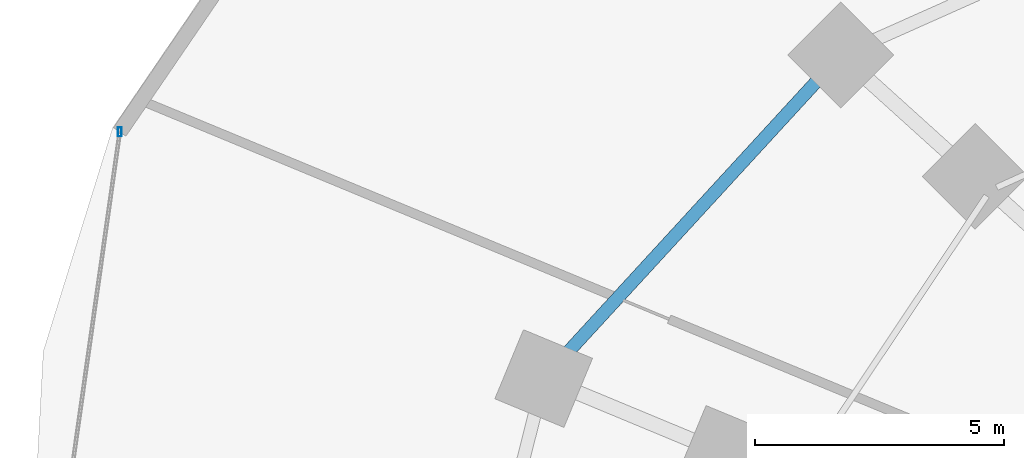
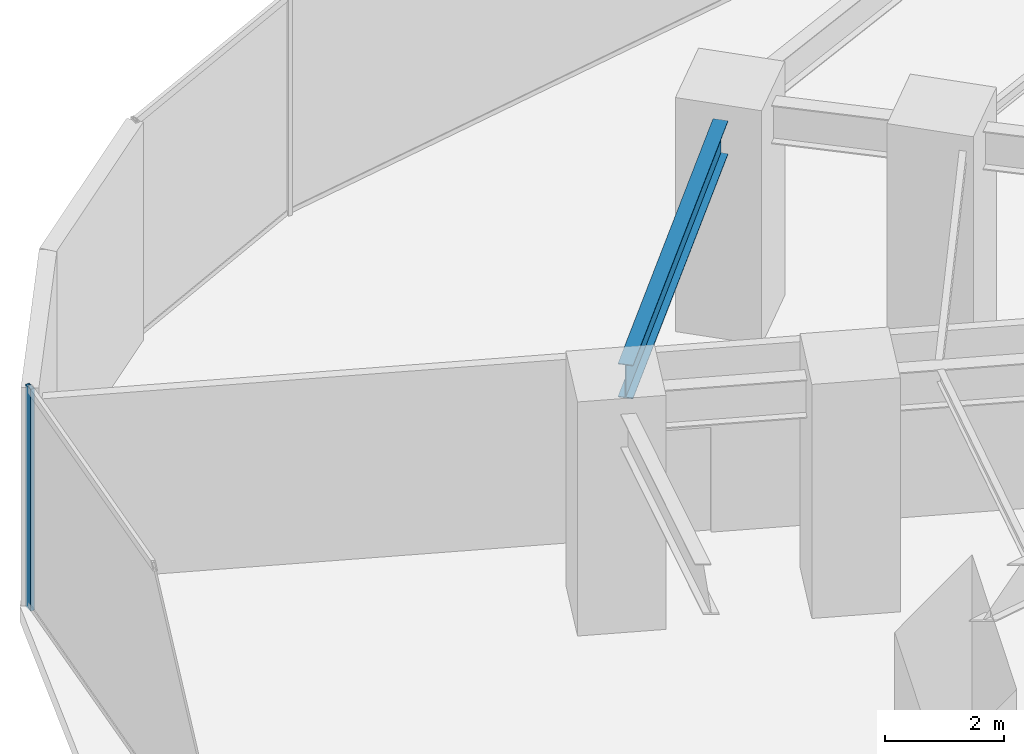
# One storey, part 12 of 27: 1 beam, 1 member, 1 element without a shape of its own.
"""IFC4 building model written with IfcOpenShell, lengths in metres."""

from ifc_helpers import new_model, si_unit, direction, frame, origin, origin_2d, place, context, subcontext, project, spatial, hollow_rectangle, i_section, extrude, material, material_profile, profile_set, type_object, element, aggregate, save


model = new_model("IFC4")

# Units and contexts
model_context = context("Model", 3, precision=1e-05, world=origin(), true_north=direction((0.0, 1.0)))
body_context = subcontext(model_context, "Body", "Model", "MODEL_VIEW")
ifc_project = project(units=[si_unit("LENGTHUNIT", "METRE"), si_unit("AREAUNIT", "SQUARE_METRE"), si_unit("VOLUMEUNIT", "CUBIC_METRE"), si_unit("PLANEANGLEUNIT", "RADIAN"), si_unit("MASSUNIT", "GRAM", prefix="KILO")], contexts=[model_context])

# Site, building, storey
site_placement = place(None, origin())
site = spatial("IfcSite", under=ifc_project, at=site_placement, CompositionType="ELEMENT")
building_placement = place(site_placement, origin())
building = spatial("IfcBuilding", under=site, at=building_placement, Name="Vorneva Point Tower", CompositionType="ELEMENT")
storey_placement = place(building_placement, frame((0.0, 0.0, 4.800048828125)))
storey = spatial("IfcBuildingStorey", under=building, at=storey_placement, Name="L01", CompositionType="ELEMENT", Elevation=4.800048828125)

# Beam
ifc_material_1 = material(Name="Steel S355", Category="steel")
ifc_material_profile_1 = material_profile(ifc_material_1, i_section(OverallWidth=0.260009765625, OverallDepth=0.69091796875, WebThickness=0.011962890625, FlangeThickness=0.015380859375, at=origin_2d()), Name="70B1")
ifc_profile_set_1 = profile_set([ifc_material_profile_1], Name="Steel S355")
beam_type = type_object("IfcBeamType", Name="BM-SPN-70B1", PredefinedType="SPANDREL", material=ifc_profile_set_1)
beam_placement = place(storey_placement, frame((18.505615234375, 40.058349609375, 4.134521484375), z_axis=(-0.676377408326, -0.736555226379, 0.0), x_axis=(0.736555226379, -0.676377408326, 0.0)))
element("IfcBeam", 1, at=beam_placement, inside=storey, type_object=beam_type, Name="L01 Perimeter Spandrel Ring Beam 07", PredefinedType="SPANDREL", context=body_context, shape_type="SweptSolid", body=[
    extrude(i_section(OverallWidth=0.260009765625, OverallDepth=0.69091796875, WebThickness=0.011962890625, FlangeThickness=0.015380859375, at=origin_2d()), origin(), (0.0, 0.0, 1.0), 7.34716796875),
])

# Curtain wall, member
ifc_material_2 = material(Name="Pale anodised aluminium", Category="aluminium")
curtain_wall_type = type_object("IfcCurtainWallType", Name="CW-POD-SYS", PredefinedType="NOTDEFINED", material=ifc_material_2)
curtain_wall_placement = place(storey_placement, origin())
curtain_wall = element("IfcCurtainWall", 2, at=curtain_wall_placement, inside=storey, type_object=curtain_wall_type, Name="L01 Unitised Curtain Wall CW-L01-R03", PredefinedType="NOTDEFINED")
ifc_material_profile_2 = material_profile(ifc_material_2, hollow_rectangle(XDim=0.074951171875, YDim=0.179931640625, WallThickness=0.00390625, at=origin_2d()), Name="AL-MUL 180x75x4")
ifc_profile_set_2 = profile_set([ifc_material_profile_2], Name="Pale anodised aluminium")
member_type = type_object("IfcMemberType", Name="CW-MUL-180", PredefinedType="MULLION", material=ifc_profile_set_2)
member_placement = place(storey_placement, frame((4.52880859375, 39.05712890625, -0.0400390625), z_axis=(0.0, 0.0, 1.0), x_axis=(1.0, 0.0, 0.0)))
member = element("IfcMember", 3, at=member_placement, type_object=member_type, Name="CW-L01-R03 Mullion 01", PredefinedType="MULLION", context=body_context, shape_type="SweptSolid", body=[
    extrude(hollow_rectangle(XDim=0.074951171875, YDim=0.179931640625, WallThickness=0.00390625, at=origin_2d()), origin(), (0.0, 0.0, 1.0), 4.550048828125),
])
aggregate(curtain_wall, [member])

save(model, "model.ifc")
